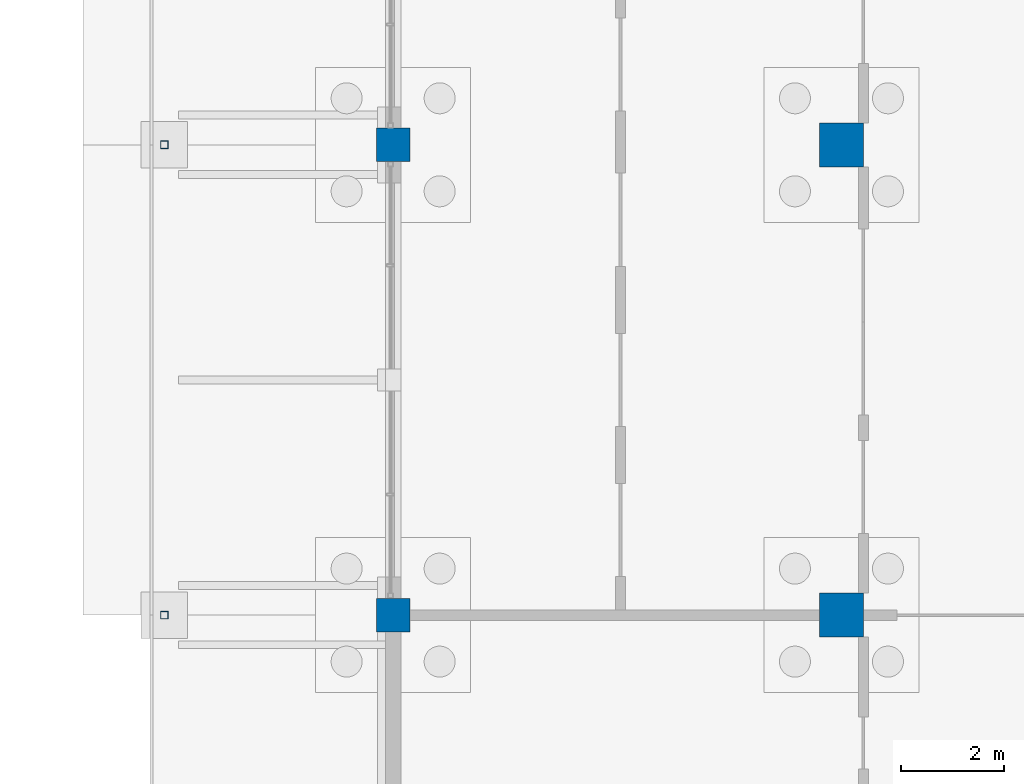
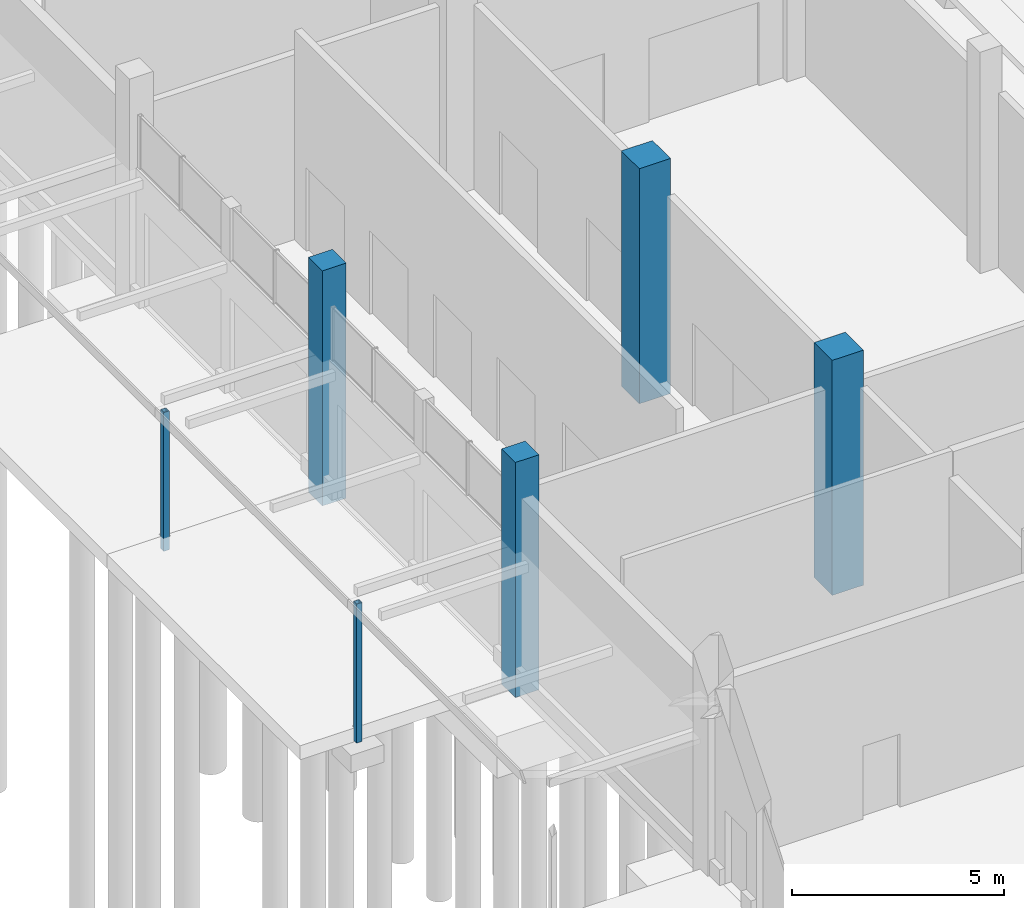
# One storey, part 15 of 129: 6 columns.
"""IFC4 building model written with IfcOpenShell, lengths in metres."""

from ifc_helpers import new_model, si_unit, direction, frame, origin, origin_2d, place, context, subcontext, project, spatial, rectangle, hollow_rectangle, extrude, material, material_profile, profile_set, type_object, element, save


model = new_model("IFC4")

# Units and contexts
model_context = context("Model", 3, precision=1e-05, world=origin(), true_north=direction((0.0, 1.0)))
body_context = subcontext(model_context, "Body", "Model", "MODEL_VIEW")
ifc_project = project(units=[si_unit("LENGTHUNIT", "METRE"), si_unit("AREAUNIT", "SQUARE_METRE"), si_unit("VOLUMEUNIT", "CUBIC_METRE"), si_unit("PLANEANGLEUNIT", "RADIAN"), si_unit("MASSUNIT", "GRAM", prefix="KILO")], contexts=[model_context])

# Site, building, storey
site_placement = place(None, origin())
site = spatial("IfcSite", under=ifc_project, at=site_placement, CompositionType="ELEMENT")
building_placement = place(site_placement, origin())
building = spatial("IfcBuilding", under=site, at=building_placement, Name="Shirokan Park Arena", CompositionType="ELEMENT")
storey_placement = place(building_placement, origin())
storey = spatial("IfcBuildingStorey", under=building, at=storey_placement, Name="L00", CompositionType="ELEMENT", Elevation=0.0)

# Columns
ifc_material_1 = material(Name="Concrete C35", Category="concrete")
ifc_material_profile_1 = material_profile(ifc_material_1, rectangle(XDim=0.64990234375, YDim=0.64990234375, at=origin_2d()), Name="650x650")
ifc_profile_set_1 = profile_set([ifc_material_profile_1], Name="Concrete C35")
column_type_1 = type_object("IfcColumnType", Name="RC column 650x650", PredefinedType="COLUMN", material=ifc_profile_set_1)
for number, where, z_axis, x_axis, name in (
    (1, (0.0, 45.5, -0.39990234375), (0.0, 0.0, 1.0), (1.0, 0.0, 0.0), "Column 1F L00"),
    (2, (0.0, 54.60009765625, -0.39990234375), (0.0, 0.0, 1.0), (1.0, 0.0, 0.0), "Column 1G L00"),
):
    element("IfcColumn", number, at=place(storey_placement, frame(where, z_axis=z_axis, x_axis=x_axis)), inside=storey, type_object=column_type_1, Name=name, PredefinedType="COLUMN", context=body_context, shape_type="SweptSolid", body=[
        extrude(rectangle(XDim=0.64990234375, YDim=0.64990234375, at=origin_2d()), origin(), (0.0, 0.0, 1.0), 6.77001953125),
    ])
ifc_material_profile_2 = material_profile(ifc_material_1, rectangle(XDim=0.85009765625, YDim=0.85009765625, at=origin_2d()), Name="850x850")
ifc_profile_set_2 = profile_set([ifc_material_profile_2], Name="Concrete C35")
column_type_2 = type_object("IfcColumnType", Name="RC column 850x850", PredefinedType="COLUMN", material=ifc_profile_set_2)
for number, where, z_axis, x_axis, name in (
    (3, (8.675048828125, 45.5, -0.39990234375), (0.0, 0.0, 1.0), (1.0, 0.0, 0.0), "Column 2F L00"),
    (4, (8.675048828125, 54.60009765625, -0.39990234375), (0.0, 0.0, 1.0), (1.0, 0.0, 0.0), "Column 2G L00"),
):
    element("IfcColumn", number, at=place(storey_placement, frame(where, z_axis=z_axis, x_axis=x_axis)), inside=storey, type_object=column_type_2, Name=name, PredefinedType="COLUMN", context=body_context, shape_type="SweptSolid", body=[
        extrude(rectangle(XDim=0.85009765625, YDim=0.85009765625, at=origin_2d()), origin(), (0.0, 0.0, 1.0), 6.77001953125),
    ])
ifc_material_2 = material(Name="Steel S355", Category="steel")
ifc_material_profile_3 = material_profile(ifc_material_2, hollow_rectangle(XDim=0.14990234375, YDim=0.14990234375, WallThickness=0.008056640625, at=origin_2d()), Name="RHS 150x150x8")
ifc_profile_set_3 = profile_set([ifc_material_profile_3], Name="Steel S355")
column_type_3 = type_object("IfcColumnType", Name="Steel post RHS 150x150x8", PredefinedType="COLUMN", material=ifc_profile_set_3)
for number, where, z_axis, x_axis, name in (
    (5, (-4.425048828125, 54.60009765625, -0.39990234375), (0.0, 0.0, 1.0), (1.0, 0.0, 0.0), "Canopy post west grid 7"),
    (6, (-4.425048828125, 45.5, -0.39990234375), (0.0, 0.0, 1.0), (1.0, 0.0, 0.0), "Canopy post west grid 8"),
):
    element("IfcColumn", number, at=place(storey_placement, frame(where, z_axis=z_axis, x_axis=x_axis)), inside=storey, type_object=column_type_3, Name=name, PredefinedType="COLUMN", context=body_context, shape_type="SweptSolid", body=[
        extrude(hollow_rectangle(XDim=0.14990234375, YDim=0.14990234375, WallThickness=0.008056640625, at=origin_2d()), origin(), (0.0, 0.0, 1.0), 4.0),
    ])

save(model, "model.ifc")
